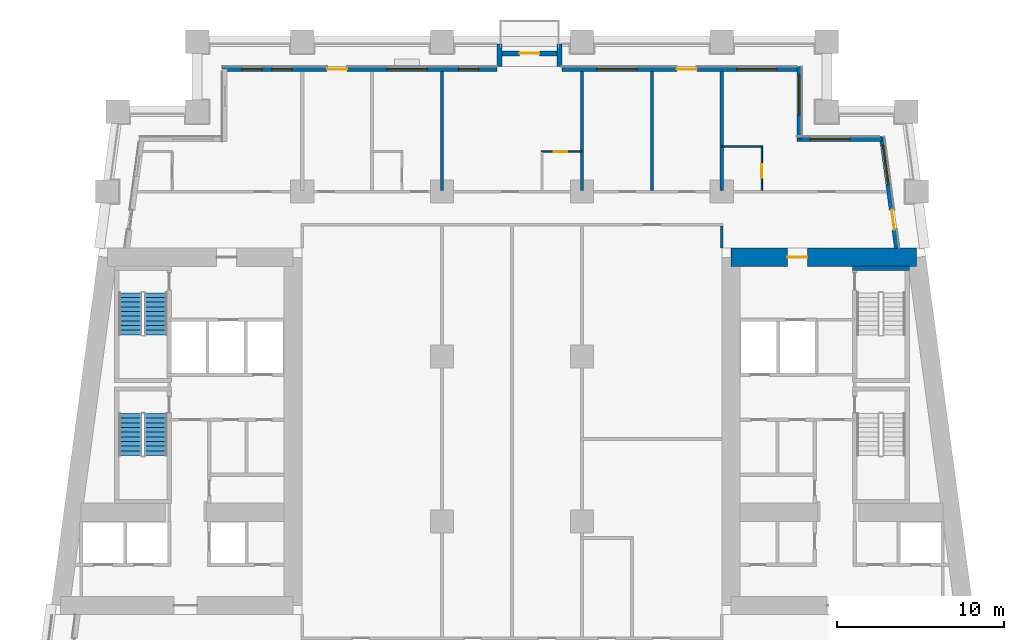
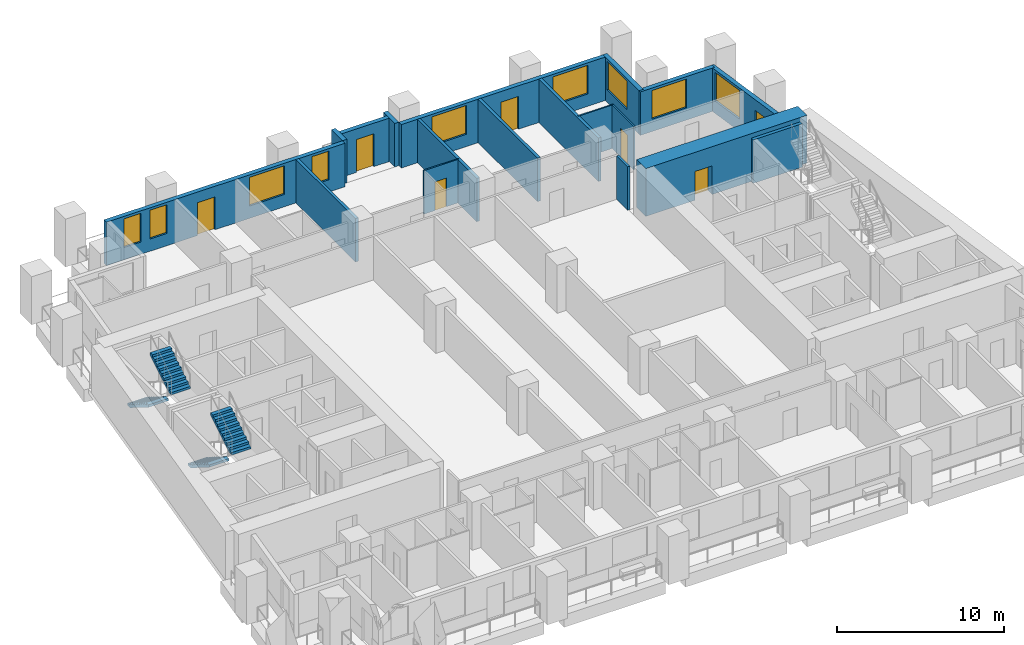
# One storey, part 7 of 13: 18 walls, 9 windows, 7 doors, 4 stair flights, 16 openings, 2 elements without a shape of their own.
"""IFC4 building model written with IfcOpenShell, lengths in metres."""

from ifc_helpers import new_model, si_unit, direction, frame, frame_2d, origin, place, context, subcontext, project, spatial, polyline, rectangle, outline, extrude, material, layer, layer_set, type_object, element, fill, aggregate, save


model = new_model("IFC4")

# Units and contexts
model_context = context("Model", 3, precision=1e-05, world=origin(), true_north=direction((0.0, 1.0)))
body_context = subcontext(model_context, "Body", "Model", "MODEL_VIEW")
ifc_project = project(units=[si_unit("LENGTHUNIT", "METRE"), si_unit("AREAUNIT", "SQUARE_METRE"), si_unit("VOLUMEUNIT", "CUBIC_METRE"), si_unit("PLANEANGLEUNIT", "RADIAN"), si_unit("MASSUNIT", "GRAM", prefix="KILO")], contexts=[model_context])

# Site, building, storey
site_placement = place(None, origin())
site = spatial("IfcSite", under=ifc_project, at=site_placement, CompositionType="ELEMENT")
building_placement = place(site_placement, origin())
building = spatial("IfcBuilding", under=site, at=building_placement, Name="Candeia Pilgrim Tower and Theatre", CompositionType="ELEMENT")
storey_placement = place(building_placement, frame((0.0, 0.0, 70.5)))
storey = spatial("IfcBuildingStorey", under=building, at=storey_placement, Name="L15", CompositionType="ELEMENT", Elevation=70.5)

# Wall, opening, door
ifc_material_1 = material(Name="Concrete C80/95", Category="concrete")
ifc_layer_1 = layer(ifc_material_1, 1.10009765625)
ifc_layer_set_1 = layer_set([ifc_layer_1], Name="Core wall 1100 C80/95")
wall_type_1 = type_object("IfcWallType", Name="Core wall 1100 C80/95", PredefinedType="SHEAR", material=ifc_layer_set_1)
wall_1_placement = place(storey_placement, frame((126.550048828125, 131.85009765625, 0.0), z_axis=(0.0, 0.0, 1.0), x_axis=(1.0, 0.0, 0.0)))
wall_1 = element("IfcWall", 1, at=wall_1_placement, inside=storey, type_object=wall_type_1, Name="Core wall E1", PredefinedType="SHEAR", context=body_context, shape_type="SweptSolid", body=[
    extrude(rectangle(XDim=11.13818359375, YDim=1.10009765625, at=frame_2d((5.569091796875, 0.0))), origin(), (0.0, 0.0, 1.0), 3.5),
])
opening_1_placement = place(wall_1_placement, frame((3.386474609375, 0.0, 0.0)))
opening_1 = element("IfcOpeningElement", 2, at=opening_1_placement, cuts=wall_1, Name="Opening L15-D057", PredefinedType="OPENING", context=body_context, shape_type="SweptSolid", body=[
    extrude(rectangle(XDim=1.199951171875, YDim=2.10009765625, at=frame_2d((0.60009765625, 1.050048828125))), frame((0.0, 0.56005859375, 0.0), z_axis=(0.0, -1.0, 0.0), x_axis=(1.0, 0.0, 0.0)), (0.0, 0.0, 1.0), 1.1201171875),
])
ifc_material_2 = material(Name="Steel fire door set", Category="steel")
door_type_1 = type_object("IfcDoorType", Name="D-1200-FD60", OperationType="NOTDEFINED", PredefinedType="DOOR", material=ifc_material_2)
door_1_placement = place(opening_1_placement, origin())
door_1 = element("IfcDoor", 3, at=door_1_placement, inside=storey, type_object=door_type_1, Name="Door L15-D057", OperationType="SINGLE_SWING_RIGHT", OverallHeight=2.10009765625, OverallWidth=1.199951171875, PredefinedType="DOOR", context=body_context, shape_type="SweptSolid", body=[
    extrude(rectangle(XDim=1.199951171875, YDim=2.10009765625, at=frame_2d((0.60009765625, 1.050048828125))), frame((0.0, 0.02490234375, 0.0), z_axis=(0.0, -1.0, 0.0), x_axis=(1.0, 0.0, 0.0)), (0.0, 0.0, 1.0), 0.050048828125),
])
fill(opening_1, door_1)

# Wall, openings, door, window
ifc_material_3 = material(Name="Ceramic block masonry", Category="masonry")
ifc_layer_2 = layer(ifc_material_3, 0.300048828125)
ifc_layer_set_2 = layer_set([ifc_layer_2], Name="EW1 glazing-line wall 300")
wall_type_2 = type_object("IfcWallType", Name="EW1 glazing-line wall 300", PredefinedType="SOLIDWALL", material=ifc_layer_set_2)
wall_2_placement = place(storey_placement, frame((136.50439453125, 132.39990234375, 0.0), z_axis=(0.0, 0.0, 1.0), x_axis=(-0.133399697462, 0.99106231929, 0.0)))
wall_2 = element("IfcWall", 4, at=wall_2_placement, inside=storey, type_object=wall_type_2, Name="External wall L15-3.1", PredefinedType="SOLIDWALL", context=body_context, shape_type="SweptSolid", body=[
    extrude(rectangle(XDim=6.740478515625, YDim=0.300048828125, at=frame_2d((3.3701171875, 0.0))), origin(), (0.0, 0.0, 1.0), 3.179931640625),
])
opening_2_placement = place(wall_2_placement, frame((1.115234375, 0.0, 0.0)))
opening_2 = element("IfcOpeningElement", 5, at=opening_2_placement, cuts=wall_2, Name="Opening L15-ED168", PredefinedType="OPENING", context=body_context, shape_type="SweptSolid", body=[
    extrude(rectangle(XDim=1.199951171875, YDim=2.39990234375, at=frame_2d((0.60009765625, 1.199951171875))), frame((0.0, 0.16015625, 0.0), z_axis=(0.0, -1.0, 0.0), x_axis=(1.0, 0.0, 0.0)), (0.0, 0.0, 1.0), 0.320068359375),
])
opening_3_placement = place(wall_2_placement, frame((3.83544921875, 0.0, 0.89990234375)))
opening_3 = element("IfcOpeningElement", 6, at=opening_3_placement, cuts=wall_2, Name="Opening W-A", PredefinedType="OPENING", context=body_context, shape_type="SweptSolid", body=[
    extrude(rectangle(XDim=2.39990234375, YDim=2.10009765625, at=frame_2d((1.199951171875, 1.050048828125))), frame((0.0, 0.16015625, 0.0), z_axis=(0.0, -1.0, 0.0), x_axis=(1.0, 0.0, 0.0)), (0.0, 0.0, 1.0), 0.320068359375),
])
ifc_material_4 = material(Name="Aluminium framed glazed door", Category="aluminium")
door_type_2 = type_object("IfcDoorType", Name="Loggia door 1200x2400", OperationType="DOUBLE_DOOR_SINGLE_SWING", PredefinedType="DOOR", material=ifc_material_4)
door_2_placement = place(opening_2_placement, origin())
door_2 = element("IfcDoor", 7, at=door_2_placement, inside=storey, type_object=door_type_2, Name="Loggia door L15-ED168", OperationType="DOUBLE_DOOR_SINGLE_SWING", OverallHeight=2.39990234375, OverallWidth=1.199951171875, PredefinedType="DOOR", context=body_context, shape_type="SweptSolid", body=[
    extrude(rectangle(XDim=1.199951171875, YDim=2.39990234375, at=frame_2d((0.60009765625, 1.199951171875))), frame((0.0, 0.02490234375, 0.0), z_axis=(0.0, -1.0, 0.0), x_axis=(1.0, 0.0, 0.0)), (0.0, 0.0, 1.0), 0.050048828125),
])
fill(opening_2, door_2)
ifc_material_5 = material(Name="Aluminium framed double glazing", Category="aluminium")
window_type_1 = type_object("IfcWindowType", Name="W-A window 2400x2100", PartitioningType="DOUBLE_PANEL_VERTICAL", PredefinedType="WINDOW", material=ifc_material_5)
window_1_placement = place(opening_3_placement, origin())
window_1 = element("IfcWindow", 8, at=window_1_placement, inside=storey, type_object=window_type_1, Name="Window W-A L15", OverallHeight=2.10009765625, OverallWidth=2.39990234375, PartitioningType="SINGLE_PANEL", PredefinedType="WINDOW", context=body_context, shape_type="SweptSolid", body=[
    extrude(rectangle(XDim=2.39990234375, YDim=2.10009765625, at=frame_2d((1.199951171875, 1.050048828125))), frame((0.0, 0.030029296875, 0.0), z_axis=(0.0, -1.0, 0.0), x_axis=(1.0, 0.0, 0.0)), (0.0, 0.0, 1.0), 0.06005859375),
])
fill(opening_3, window_1)

# Wall, opening, window
wall_3_placement = place(storey_placement, frame((135.62255859375, 138.949951171875, 0.0), z_axis=(0.0, 0.0, 1.0), x_axis=(-1.0, 0.0, 0.0)))
wall_3 = element("IfcWall", 9, at=wall_3_placement, inside=storey, type_object=wall_type_2, Name="External wall L15-4.0", PredefinedType="SOLIDWALL", context=body_context, shape_type="SweptSolid", body=[
    extrude(rectangle(XDim=5.12255859375, YDim=0.300048828125, at=frame_2d((2.561279296875, 0.0))), origin(), (0.0, 0.0, 1.0), 3.179931640625),
])
opening_4_placement = place(wall_3_placement, frame((1.922607421875, 0.0, 0.89990234375)))
opening_4 = element("IfcOpeningElement", 10, at=opening_4_placement, cuts=wall_3, Name="Opening W-A", PredefinedType="OPENING", context=body_context, shape_type="SweptSolid", body=[
    extrude(rectangle(XDim=2.39990234375, YDim=2.10009765625, at=frame_2d((1.199951171875, 1.050048828125))), frame((0.0, 0.16015625, 0.0), z_axis=(0.0, -1.0, 0.0), x_axis=(1.0, 0.0, 0.0)), (0.0, 0.0, 1.0), 0.320068359375),
])
window_2_placement = place(opening_4_placement, origin())
window_2 = element("IfcWindow", 11, at=window_2_placement, inside=storey, type_object=window_type_1, Name="Window W-A L15", OverallHeight=2.10009765625, OverallWidth=2.39990234375, PartitioningType="SINGLE_PANEL", PredefinedType="WINDOW", context=body_context, shape_type="SweptSolid", body=[
    extrude(rectangle(XDim=2.39990234375, YDim=2.10009765625, at=frame_2d((1.199951171875, 1.050048828125))), frame((0.0, 0.030029296875, 0.0), z_axis=(0.0, -1.0, 0.0), x_axis=(1.0, 0.0, 0.0)), (0.0, 0.0, 1.0), 0.06005859375),
])
fill(opening_4, window_2)

wall_4_placement = place(storey_placement, frame((130.64990234375, 138.949951171875, 0.0), z_axis=(0.0, 0.0, 1.0), x_axis=(0.0, 1.0, 0.0)))
wall_4 = element("IfcWall", 12, at=wall_4_placement, inside=storey, type_object=wall_type_2, Name="External wall L15-5.0", PredefinedType="SOLIDWALL", context=body_context, shape_type="SweptSolid", body=[
    extrude(rectangle(XDim=4.35009765625, YDim=0.300048828125, at=frame_2d((2.175048828125, 0.0))), origin(), (0.0, 0.0, 1.0), 3.179931640625),
])
opening_5_placement = place(wall_4_placement, frame((1.449951171875, 0.0, 0.89990234375)))
opening_5 = element("IfcOpeningElement", 13, at=opening_5_placement, cuts=wall_4, Name="Opening W-A", PredefinedType="OPENING", context=body_context, shape_type="SweptSolid", body=[
    extrude(rectangle(XDim=2.39990234375, YDim=2.10009765625, at=frame_2d((1.199951171875, 1.050048828125))), frame((0.0, 0.16015625, 0.0), z_axis=(0.0, -1.0, 0.0), x_axis=(1.0, 0.0, 0.0)), (0.0, 0.0, 1.0), 0.320068359375),
])
window_3_placement = place(opening_5_placement, origin())
window_3 = element("IfcWindow", 14, at=window_3_placement, inside=storey, type_object=window_type_1, Name="Window W-A L15", OverallHeight=2.10009765625, OverallWidth=2.39990234375, PartitioningType="SINGLE_PANEL", PredefinedType="WINDOW", context=body_context, shape_type="SweptSolid", body=[
    extrude(rectangle(XDim=2.39990234375, YDim=2.10009765625, at=frame_2d((1.199951171875, 1.050048828125))), frame((0.0, 0.030029296875, 0.0), z_axis=(0.0, -1.0, 0.0), x_axis=(1.0, 0.0, 0.0)), (0.0, 0.0, 1.0), 0.06005859375),
])
fill(opening_5, window_3)

# Wall, openings, door, windows
wall_5_placement = place(storey_placement, frame((130.64990234375, 143.14990234375, 0.0), z_axis=(0.0, 0.0, 1.0), x_axis=(-1.0, 0.0, 0.0)))
wall_5 = element("IfcWall", 15, at=wall_5_placement, inside=storey, type_object=wall_type_2, Name="External wall L15-6.0", PredefinedType="SOLIDWALL", context=body_context, shape_type="SweptSolid", body=[
    extrude(rectangle(XDim=14.25, YDim=0.300048828125, at=frame_2d((7.125, 0.0))), origin(), (0.0, 0.0, 1.0), 3.179931640625),
])
opening_6_placement = place(wall_5_placement, frame((1.35009765625, 0.0, 0.89990234375)))
opening_6 = element("IfcOpeningElement", 16, at=opening_6_placement, cuts=wall_5, Name="Opening W-A", PredefinedType="OPENING", context=body_context, shape_type="SweptSolid", body=[
    extrude(rectangle(XDim=2.39990234375, YDim=2.10009765625, at=frame_2d((1.199951171875, 1.050048828125))), frame((0.0, 0.16015625, 0.0), z_axis=(0.0, -1.0, 0.0), x_axis=(1.0, 0.0, 0.0)), (0.0, 0.0, 1.0), 0.320068359375),
])
opening_7_placement = place(wall_5_placement, frame((6.14990234375, 0.0, 0.0)))
opening_7 = element("IfcOpeningElement", 17, at=opening_7_placement, cuts=wall_5, Name="Opening L15-ED169", PredefinedType="OPENING", context=body_context, shape_type="SweptSolid", body=[
    extrude(rectangle(XDim=1.199951171875, YDim=2.39990234375, at=frame_2d((0.60009765625, 1.199951171875))), frame((0.0, 0.16015625, 0.0), z_axis=(0.0, -1.0, 0.0), x_axis=(1.0, 0.0, 0.0)), (0.0, 0.0, 1.0), 0.320068359375),
])
opening_8_placement = place(wall_5_placement, frame((9.75, 0.0, 0.89990234375)))
opening_8 = element("IfcOpeningElement", 18, at=opening_8_placement, cuts=wall_5, Name="Opening W-A", PredefinedType="OPENING", context=body_context, shape_type="SweptSolid", body=[
    extrude(rectangle(XDim=2.39990234375, YDim=2.10009765625, at=frame_2d((1.199951171875, 1.050048828125))), frame((0.0, 0.16015625, 0.0), z_axis=(0.0, -1.0, 0.0), x_axis=(1.0, 0.0, 0.0)), (0.0, 0.0, 1.0), 0.320068359375),
])
door_3_placement = place(opening_7_placement, origin())
door_3 = element("IfcDoor", 19, at=door_3_placement, inside=storey, type_object=door_type_2, Name="Loggia door L15-ED169", OperationType="DOUBLE_DOOR_SINGLE_SWING", OverallHeight=2.39990234375, OverallWidth=1.199951171875, PredefinedType="DOOR", context=body_context, shape_type="SweptSolid", body=[
    extrude(rectangle(XDim=1.199951171875, YDim=2.39990234375, at=frame_2d((0.60009765625, 1.199951171875))), frame((0.0, 0.02490234375, 0.0), z_axis=(0.0, -1.0, 0.0), x_axis=(1.0, 0.0, 0.0)), (0.0, 0.0, 1.0), 0.050048828125),
])
fill(opening_7, door_3)
window_4_placement = place(opening_6_placement, origin())
window_4 = element("IfcWindow", 20, at=window_4_placement, inside=storey, type_object=window_type_1, Name="Window W-A L15", OverallHeight=2.10009765625, OverallWidth=2.39990234375, PartitioningType="SINGLE_PANEL", PredefinedType="WINDOW", context=body_context, shape_type="SweptSolid", body=[
    extrude(rectangle(XDim=2.39990234375, YDim=2.10009765625, at=frame_2d((1.199951171875, 1.050048828125))), frame((0.0, 0.030029296875, 0.0), z_axis=(0.0, -1.0, 0.0), x_axis=(1.0, 0.0, 0.0)), (0.0, 0.0, 1.0), 0.06005859375),
])
fill(opening_6, window_4)
window_5_placement = place(opening_8_placement, origin())
window_5 = element("IfcWindow", 21, at=window_5_placement, inside=storey, type_object=window_type_1, Name="Window W-A L15", OverallHeight=2.10009765625, OverallWidth=2.39990234375, PartitioningType="SINGLE_PANEL", PredefinedType="WINDOW", context=body_context, shape_type="SweptSolid", body=[
    extrude(rectangle(XDim=2.39990234375, YDim=2.10009765625, at=frame_2d((1.199951171875, 1.050048828125))), frame((0.0, 0.030029296875, 0.0), z_axis=(0.0, -1.0, 0.0), x_axis=(1.0, 0.0, 0.0)), (0.0, 0.0, 1.0), 0.06005859375),
])
fill(opening_8, window_5)

wall_6_placement = place(storey_placement, frame((112.5, 143.14990234375, 0.0), z_axis=(0.0, 0.0, 1.0), x_axis=(-1.0, 0.0, 0.0)))
wall_6 = element("IfcWall", 22, at=wall_6_placement, inside=storey, type_object=wall_type_2, Name="External wall L15-6.1", PredefinedType="SOLIDWALL", context=body_context, shape_type="SweptSolid", body=[
    extrude(rectangle(XDim=16.5, YDim=0.300048828125, at=frame_2d((8.25, 0.0))), origin(), (0.0, 0.0, 1.0), 3.179931640625),
])
opening_9_placement = place(wall_6_placement, frame((1.10009765625, 0.0, 0.89990234375)))
opening_9 = element("IfcOpeningElement", 23, at=opening_9_placement, cuts=wall_6, Name="Opening W-B", PredefinedType="OPENING", context=body_context, shape_type="SweptSolid", body=[
    extrude(rectangle(XDim=1.199951171875, YDim=2.10009765625, at=frame_2d((0.60009765625, 1.050048828125))), frame((0.0, 0.16015625, 0.0), z_axis=(0.0, -1.0, 0.0), x_axis=(1.0, 0.0, 0.0)), (0.0, 0.0, 1.0), 0.320068359375),
])
opening_10_placement = place(wall_6_placement, frame((4.199951171875, 0.0, 0.89990234375)))
opening_10 = element("IfcOpeningElement", 24, at=opening_10_placement, cuts=wall_6, Name="Opening W-A", PredefinedType="OPENING", context=body_context, shape_type="SweptSolid", body=[
    extrude(rectangle(XDim=2.39990234375, YDim=2.10009765625, at=frame_2d((1.199951171875, 1.050048828125))), frame((0.0, 0.16015625, 0.0), z_axis=(0.0, -1.0, 0.0), x_axis=(1.0, 0.0, 0.0)), (0.0, 0.0, 1.0), 0.320068359375),
])
opening_11_placement = place(wall_6_placement, frame((9.0, 0.0, 0.0)))
opening_11 = element("IfcOpeningElement", 25, at=opening_11_placement, cuts=wall_6, Name="Opening L15-ED170", PredefinedType="OPENING", context=body_context, shape_type="SweptSolid", body=[
    extrude(rectangle(XDim=1.199951171875, YDim=2.39990234375, at=frame_2d((0.60009765625, 1.199951171875))), frame((0.0, 0.16015625, 0.0), z_axis=(0.0, -1.0, 0.0), x_axis=(1.0, 0.0, 0.0)), (0.0, 0.0, 1.0), 0.320068359375),
])
opening_12_placement = place(wall_6_placement, frame((12.300048828125, 0.0, 0.89990234375)))
opening_12 = element("IfcOpeningElement", 26, at=opening_12_placement, cuts=wall_6, Name="Opening W-B", PredefinedType="OPENING", context=body_context, shape_type="SweptSolid", body=[
    extrude(rectangle(XDim=1.199951171875, YDim=2.10009765625, at=frame_2d((0.60009765625, 1.050048828125))), frame((0.0, 0.16015625, 0.0), z_axis=(0.0, -1.0, 0.0), x_axis=(1.0, 0.0, 0.0)), (0.0, 0.0, 1.0), 0.320068359375),
])
opening_13_placement = place(wall_6_placement, frame((14.10009765625, 0.0, 0.89990234375)))
opening_13 = element("IfcOpeningElement", 27, at=opening_13_placement, cuts=wall_6, Name="Opening W-B", PredefinedType="OPENING", context=body_context, shape_type="SweptSolid", body=[
    extrude(rectangle(XDim=1.199951171875, YDim=2.10009765625, at=frame_2d((0.60009765625, 1.050048828125))), frame((0.0, 0.16015625, 0.0), z_axis=(0.0, -1.0, 0.0), x_axis=(1.0, 0.0, 0.0)), (0.0, 0.0, 1.0), 0.320068359375),
])
door_4_placement = place(opening_11_placement, origin())
door_4 = element("IfcDoor", 28, at=door_4_placement, inside=storey, type_object=door_type_2, Name="Loggia door L15-ED170", OperationType="DOUBLE_DOOR_SINGLE_SWING", OverallHeight=2.39990234375, OverallWidth=1.199951171875, PredefinedType="DOOR", context=body_context, shape_type="SweptSolid", body=[
    extrude(rectangle(XDim=1.199951171875, YDim=2.39990234375, at=frame_2d((0.60009765625, 1.199951171875))), frame((0.0, 0.02490234375, 0.0), z_axis=(0.0, -1.0, 0.0), x_axis=(1.0, 0.0, 0.0)), (0.0, 0.0, 1.0), 0.050048828125),
])
fill(opening_11, door_4)
window_6_placement = place(opening_10_placement, origin())
window_6 = element("IfcWindow", 29, at=window_6_placement, inside=storey, type_object=window_type_1, Name="Window W-A L15", OverallHeight=2.10009765625, OverallWidth=2.39990234375, PartitioningType="SINGLE_PANEL", PredefinedType="WINDOW", context=body_context, shape_type="SweptSolid", body=[
    extrude(rectangle(XDim=2.39990234375, YDim=2.10009765625, at=frame_2d((1.199951171875, 1.050048828125))), frame((0.0, 0.030029296875, 0.0), z_axis=(0.0, -1.0, 0.0), x_axis=(1.0, 0.0, 0.0)), (0.0, 0.0, 1.0), 0.06005859375),
])
fill(opening_10, window_6)
window_type_2 = type_object("IfcWindowType", Name="W-B window 1200x2100", PartitioningType="SINGLE_PANEL", PredefinedType="WINDOW", material=ifc_material_5)
window_7_placement = place(opening_9_placement, origin())
window_7 = element("IfcWindow", 30, at=window_7_placement, inside=storey, type_object=window_type_2, Name="Window W-B L15", OverallHeight=2.10009765625, OverallWidth=1.199951171875, PartitioningType="SINGLE_PANEL", PredefinedType="WINDOW", context=body_context, shape_type="SweptSolid", body=[
    extrude(rectangle(XDim=1.199951171875, YDim=2.10009765625, at=frame_2d((0.60009765625, 1.050048828125))), frame((0.0, 0.030029296875, 0.0), z_axis=(0.0, -1.0, 0.0), x_axis=(1.0, 0.0, 0.0)), (0.0, 0.0, 1.0), 0.06005859375),
])
fill(opening_9, window_7)
window_8_placement = place(opening_12_placement, origin())
window_8 = element("IfcWindow", 31, at=window_8_placement, inside=storey, type_object=window_type_2, Name="Window W-B L15", OverallHeight=2.10009765625, OverallWidth=1.199951171875, PartitioningType="SINGLE_PANEL", PredefinedType="WINDOW", context=body_context, shape_type="SweptSolid", body=[
    extrude(rectangle(XDim=1.199951171875, YDim=2.10009765625, at=frame_2d((0.60009765625, 1.050048828125))), frame((0.0, 0.030029296875, 0.0), z_axis=(0.0, -1.0, 0.0), x_axis=(1.0, 0.0, 0.0)), (0.0, 0.0, 1.0), 0.06005859375),
])
fill(opening_12, window_8)
window_9_placement = place(opening_13_placement, origin())
window_9 = element("IfcWindow", 32, at=window_9_placement, inside=storey, type_object=window_type_2, Name="Window W-B L15", OverallHeight=2.10009765625, OverallWidth=1.199951171875, PartitioningType="SINGLE_PANEL", PredefinedType="WINDOW", context=body_context, shape_type="SweptSolid", body=[
    extrude(rectangle(XDim=1.199951171875, YDim=2.10009765625, at=frame_2d((0.60009765625, 1.050048828125))), frame((0.0, 0.030029296875, 0.0), z_axis=(0.0, -1.0, 0.0), x_axis=(1.0, 0.0, 0.0)), (0.0, 0.0, 1.0), 0.06005859375),
])
fill(opening_13, window_9)

# Walls
ifc_layer_3 = layer(ifc_material_3, 0.300048828125)
ifc_layer_set_3 = layer_set([ifc_layer_3], Name="EW2 entrance infill wall 300")
wall_type_3 = type_object("IfcWallType", Name="EW2 entrance infill wall 300", PredefinedType="SOLIDWALL", material=ifc_layer_set_3)
for number, where, z_axis, x_axis, name in (
    (33, (116.25, 143.300048828125, 0.0), (0.0, 0.0, 1.0), (0.0, 1.0, 0.0), "Alcove wall L15"),
    (34, (112.64990234375, 143.300048828125, 0.0), (0.0, 0.0, 1.0), (0.0, 1.0, 0.0), "Alcove wall L15"),
):
    element("IfcWall", number, at=place(storey_placement, frame(where, z_axis=z_axis, x_axis=x_axis)), inside=storey, type_object=wall_type_3, Name=name, PredefinedType="SOLIDWALL", context=body_context, shape_type="SweptSolid", body=[
        extrude(rectangle(XDim=1.349853515625, YDim=0.300048828125, at=frame_2d((0.6748046875, 0.0))), origin(), (0.0, 0.0, 1.0), 3.179931640625),
    ])

# Wall, opening, door
wall_7_placement = place(storey_placement, frame((116.39990234375, 144.10009765625, 0.0), z_axis=(0.0, 0.0, 1.0), x_axis=(-1.0, 0.0, 0.0)))
wall_7 = element("IfcWall", 35, at=wall_7_placement, inside=storey, type_object=wall_type_3, Name="Alcove wall L15", PredefinedType="SOLIDWALL", context=body_context, shape_type="SweptSolid", body=[
    extrude(rectangle(XDim=3.89990234375, YDim=0.300048828125, at=frame_2d((1.949951171875, 0.0))), origin(), (0.0, 0.0, 1.0), 3.179931640625),
])
opening_14_placement = place(wall_7_placement, frame((1.35009765625, 0.0, 0.0)))
opening_14 = element("IfcOpeningElement", 36, at=opening_14_placement, cuts=wall_7, Name="Opening L15-ED171", PredefinedType="OPENING", context=body_context, shape_type="SweptSolid", body=[
    extrude(rectangle(XDim=1.199951171875, YDim=2.39990234375, at=frame_2d((0.60009765625, 1.199951171875))), frame((0.0, 0.16015625, 0.0), z_axis=(0.0, -1.0, 0.0), x_axis=(1.0, 0.0, 0.0)), (0.0, 0.0, 1.0), 0.320068359375),
])
door_5_placement = place(opening_14_placement, origin())
door_5 = element("IfcDoor", 37, at=door_5_placement, inside=storey, type_object=door_type_2, Name="Balcony door L15-ED171", OperationType="DOUBLE_DOOR_SINGLE_SWING", OverallHeight=2.39990234375, OverallWidth=1.199951171875, PredefinedType="DOOR", context=body_context, shape_type="SweptSolid", body=[
    extrude(rectangle(XDim=1.199951171875, YDim=2.39990234375, at=frame_2d((0.60009765625, 1.199951171875))), frame((0.0, 0.02490234375, 0.0), z_axis=(0.0, -1.0, 0.0), x_axis=(1.0, 0.0, 0.0)), (0.0, 0.0, 1.0), 0.050048828125),
])
fill(opening_14, door_5)

ifc_material_6 = material(Name="Gypsum board partition on steel studs", Category="steel")
ifc_layer_4 = layer(ifc_material_6, 0.10009765625)
ifc_layer_set_4 = layer_set([ifc_layer_4], Name="PW-100 room partition")
wall_type_4 = type_object("IfcWallType", Name="PW-100 room partition", PredefinedType="PARTITIONING", material=ifc_layer_set_4)
wall_8_placement = place(storey_placement, frame((115.14990234375, 138.199951171875, 0.0), z_axis=(0.0, 0.0, 1.0), x_axis=(1.0, 0.0, 0.0)))
wall_8 = element("IfcWall", 38, at=wall_8_placement, inside=storey, type_object=wall_type_4, Name="Room partition L15-041", PredefinedType="PARTITIONING", context=body_context, shape_type="SweptSolid", body=[
    extrude(rectangle(XDim=2.4501953125, YDim=0.10009765625, at=frame_2d((1.22509765625, 0.0))), origin(), (0.0, 0.0, 1.0), 3.179931640625),
])
opening_15_placement = place(wall_8_placement, frame((0.760009765625, 0.0, 0.0)))
opening_15 = element("IfcOpeningElement", 39, at=opening_15_placement, cuts=wall_8, Name="Opening L15-D043", PredefinedType="OPENING", context=body_context, shape_type="SweptSolid", body=[
    extrude(rectangle(XDim=0.800048828125, YDim=2.10009765625, at=frame_2d((0.39990234375, 1.050048828125))), frame((0.0, 0.06005859375, 0.0), z_axis=(0.0, -1.0, 0.0), x_axis=(1.0, 0.0, 0.0)), (0.0, 0.0, 1.0), 0.1201171875),
])
ifc_material_7 = material(Name="Timber door leaf", Category="wood")
door_type_3 = type_object("IfcDoorType", Name="D-800", OperationType="NOTDEFINED", PredefinedType="DOOR", material=ifc_material_7)
door_6_placement = place(opening_15_placement, origin())
door_6 = element("IfcDoor", 40, at=door_6_placement, inside=storey, type_object=door_type_3, Name="Door L15-D043", OperationType="SINGLE_SWING_RIGHT", OverallHeight=2.10009765625, OverallWidth=0.800048828125, PredefinedType="DOOR", context=body_context, shape_type="SweptSolid", body=[
    extrude(rectangle(XDim=0.800048828125, YDim=2.10009765625, at=frame_2d((0.39990234375, 1.050048828125))), frame((0.0, 0.02490234375, 0.0), z_axis=(0.0, -1.0, 0.0), x_axis=(1.0, 0.0, 0.0)), (0.0, 0.0, 1.0), 0.050048828125),
])
fill(opening_15, door_6)

# Wall
wall_9_placement = place(storey_placement, frame((126.0, 138.5, 0.0), z_axis=(0.0, 0.0, 1.0), x_axis=(1.0, 0.0, 0.0)))
element("IfcWall", 41, at=wall_9_placement, inside=storey, type_object=wall_type_4, Name="Room partition L15-042", PredefinedType="PARTITIONING", context=body_context, shape_type="SweptSolid", body=[
    extrude(rectangle(XDim=2.449951171875, YDim=0.10009765625, at=frame_2d((1.22509765625, 0.0))), origin(), (0.0, 0.0, 1.0), 3.179931640625),
])

# Wall, opening, door
wall_10_placement = place(storey_placement, frame((128.39990234375, 135.875, 0.0), z_axis=(0.0, 0.0, 1.0), x_axis=(0.0, 1.0, 0.0)))
wall_10 = element("IfcWall", 42, at=wall_10_placement, inside=storey, type_object=wall_type_4, Name="Room partition L15-093", PredefinedType="PARTITIONING", context=body_context, shape_type="SweptSolid", body=[
    extrude(rectangle(XDim=2.574951171875, YDim=0.10009765625, at=frame_2d((1.28759765625, 0.0))), origin(), (0.0, 0.0, 1.0), 3.179931640625),
])
opening_16_placement = place(wall_10_placement, frame((0.7548828125, 0.0, 0.0)))
opening_16 = element("IfcOpeningElement", 43, at=opening_16_placement, cuts=wall_10, Name="Opening L15-D047", PredefinedType="OPENING", context=body_context, shape_type="SweptSolid", body=[
    extrude(rectangle(XDim=0.800048828125, YDim=2.10009765625, at=frame_2d((0.39990234375, 1.050048828125))), frame((0.0, 0.06005859375, 0.0), z_axis=(0.0, -1.0, 0.0), x_axis=(1.0, 0.0, 0.0)), (0.0, 0.0, 1.0), 0.1201171875),
])
door_7_placement = place(opening_16_placement, origin())
door_7 = element("IfcDoor", 44, at=door_7_placement, inside=storey, type_object=door_type_3, Name="Door L15-D047", OperationType="SINGLE_SWING_RIGHT", OverallHeight=2.10009765625, OverallWidth=0.800048828125, PredefinedType="DOOR", context=body_context, shape_type="SweptSolid", body=[
    extrude(rectangle(XDim=0.800048828125, YDim=2.10009765625, at=frame_2d((0.39990234375, 1.050048828125))), frame((0.0, 0.02490234375, 0.0), z_axis=(0.0, -1.0, 0.0), x_axis=(1.0, 0.0, 0.0)), (0.0, 0.0, 1.0), 0.050048828125),
])
fill(opening_16, door_7)

# Walls
ifc_layer_5 = layer(ifc_material_6, 0.14990234375)
ifc_layer_set_5 = layer_set([ifc_layer_5], Name="PW-150 unit wall")
wall_type_5 = type_object("IfcWallType", Name="PW-150 unit wall", PredefinedType="PARTITIONING", material=ifc_layer_set_5)
wall_11_placement = place(storey_placement, frame((126.0, 132.39990234375, 0.0), z_axis=(0.0, 0.0, 1.0), x_axis=(0.0, 1.0, 0.0)))
element("IfcWall", 45, at=wall_11_placement, inside=storey, type_object=wall_type_5, Name="Unit wall L15-091", PredefinedType="PARTITIONING", context=body_context, shape_type="SweptSolid", body=[
    extrude(rectangle(XDim=1.3251953125, YDim=0.14990234375, at=frame_2d((0.66259765625, 0.0))), origin(), (0.0, 0.0, 1.0), 3.179931640625),
])
ifc_layer_6 = layer(ifc_material_6, 0.199951171875)
ifc_layer_set_6 = layer_set([ifc_layer_6], Name="PW-200 party wall")
wall_type_6 = type_object("IfcWallType", Name="PW-200 party wall", PredefinedType="PARTITIONING", material=ifc_layer_set_6)
for number, where, z_axis, x_axis, name in (
    (46, (109.199951171875, 135.875, 0.0), (0.0, 0.0, 1.0), (0.0, 1.0, 0.0), "Party wall L15-077"),
    (47, (117.60009765625, 135.875, 0.0), (0.0, 0.0, 1.0), (0.0, 1.0, 0.0), "Party wall L15-085"),
    (48, (121.800048828125, 135.875, 0.0), (0.0, 0.0, 1.0), (0.0, 1.0, 0.0), "Party wall L15-087"),
    (49, (126.0, 135.875, 0.0), (0.0, 0.0, 1.0), (0.0, 1.0, 0.0), "Party wall L15-089"),
):
    element("IfcWall", number, at=place(storey_placement, frame(where, z_axis=z_axis, x_axis=x_axis)), inside=storey, type_object=wall_type_6, Name=name, PredefinedType="PARTITIONING", context=body_context, shape_type="SweptSolid", body=[
        extrude(rectangle(XDim=7.135009765625, YDim=0.199951171875, at=frame_2d((3.5673828125, 0.0))), origin(), (0.0, 0.0, 1.0), 3.179931640625),
    ])
ifc_material_8 = material(Name="Concrete C40/50", Category="concrete")
ifc_layer_7 = layer(ifc_material_8, 0.25)
ifc_layer_set_7 = layer_set([ifc_layer_7], Name="SW-250 stair wall")
wall_type_7 = type_object("IfcWallType", Name="SW-250 stair wall", PredefinedType="PARTITIONING", material=ifc_layer_set_7)
wall_12_placement = place(storey_placement, frame((133.847900390625, 131.199951171875, 0.0), z_axis=(0.0, 0.0, 1.0), x_axis=(1.0, 0.0, 0.0)))
element("IfcWall", 50, at=wall_12_placement, inside=storey, type_object=wall_type_7, Name="Stair wall L15-036", PredefinedType="PARTITIONING", context=body_context, shape_type="SweptSolid", body=[
    extrude(rectangle(XDim=3.400146484375, YDim=0.25, at=frame_2d((1.7001953125, 0.0))), origin(), (0.0, 0.0, 1.0), 3.179931640625),
])

# Stair, stair flights
stair_type = type_object("IfcStairType", Name="ST-TWR dog-leg escape stair", PredefinedType="HALF_TURN_STAIR", material=ifc_material_8)
stair_1_placement = place(storey_placement, origin())
stair_1 = element("IfcStair", 51, at=stair_1_placement, inside=storey, type_object=stair_type, Name="L15 Escape stair ST1", PredefinedType="HALF_TURN_STAIR")
stair_flight_type = type_object("IfcStairFlightType", Name="SFL-RC stair flight", PredefinedType="STRAIGHT", material=ifc_material_8)
stair_flight_1_placement = place(storey_placement, frame((90.47705078125, 122.47509765625, 0.0), z_axis=(0.0, 0.0, 1.0), x_axis=(0.0, -1.0, 0.0)))
stair_flight_1 = element("IfcStairFlight", 52, at=stair_flight_1_placement, type_object=stair_flight_type, Name="ST1 flight 1", NumberOfRisers=10, NumberOfTreads=9, PredefinedType="STRAIGHT", RiserHeight=0.175, TreadLength=0.28, context=body_context, shape_type="SweptSolid", body=[
    extrude(outline(polyline([(0.0, 0.0), (0.0, 0.175048828125), (0.280029296875, 0.175048828125), (0.280029296875, 0.35009765625), (0.56005859375, 0.35009765625), (0.56005859375, 0.52490234375), (0.840087890625, 0.52490234375), (0.840087890625, 0.699951171875), (1.1201171875, 0.699951171875), (1.1201171875, 0.875), (1.39990234375, 0.875), (1.39990234375, 1.050048828125), (1.679931640625, 1.050048828125), (1.679931640625, 1.22509765625), (1.9599609375, 1.22509765625), (1.9599609375, 1.39990234375), (2.239990234375, 1.39990234375), (2.239990234375, 1.574951171875), (2.52001953125, 1.574951171875), (2.52001953125, 1.75), (2.52001953125, 1.398193359375), (0.28271484375, 0.0), (0.0, 0.0)])), frame((0.0, 0.675048828125, 0.0), z_axis=(0.0, -1.0, 0.0), x_axis=(1.0, 0.0, 0.0)), (0.0, 0.0, 1.0), 1.35009765625),
])
stair_flight_2_placement = place(storey_placement, frame((92.027099609375, 119.955078125, 1.75), z_axis=(0.0, 0.0, 1.0), x_axis=(0.0, 1.0, 0.0)))
stair_flight_2 = element("IfcStairFlight", 53, at=stair_flight_2_placement, type_object=stair_flight_type, Name="ST1 flight 2", NumberOfRisers=10, NumberOfTreads=9, PredefinedType="STRAIGHT", RiserHeight=0.175, TreadLength=0.28, context=body_context, shape_type="SweptSolid", body=[
    extrude(outline(polyline([(0.0, 0.0), (0.0, 0.175048828125), (0.280029296875, 0.175048828125), (0.280029296875, 0.35009765625), (0.56005859375, 0.35009765625), (0.56005859375, 0.52490234375), (0.840087890625, 0.52490234375), (0.840087890625, 0.699951171875), (1.1201171875, 0.699951171875), (1.1201171875, 0.875), (1.39990234375, 0.875), (1.39990234375, 1.050048828125), (1.679931640625, 1.050048828125), (1.679931640625, 1.22509765625), (1.9599609375, 1.22509765625), (1.9599609375, 1.39990234375), (2.239990234375, 1.39990234375), (2.239990234375, 1.574951171875), (2.52001953125, 1.574951171875), (2.52001953125, 1.75), (2.52001953125, 1.398193359375), (0.28271484375, 0.0), (0.0, 0.0)])), frame((0.0, 0.675048828125, 0.0), z_axis=(0.0, -1.0, 0.0), x_axis=(1.0, 0.0, 0.0)), (0.0, 0.0, 1.0), 1.35009765625),
])
aggregate(stair_1, [stair_flight_1, stair_flight_2])

stair_2_placement = place(storey_placement, origin())
stair_2 = element("IfcStair", 54, at=stair_2_placement, inside=storey, type_object=stair_type, Name="L15 Escape stair ST2", PredefinedType="HALF_TURN_STAIR")
stair_flight_3_placement = place(storey_placement, frame((90.47705078125, 129.72509765625, 0.0), z_axis=(0.0, 0.0, 1.0), x_axis=(0.0, -1.0, 0.0)))
stair_flight_3 = element("IfcStairFlight", 55, at=stair_flight_3_placement, type_object=stair_flight_type, Name="ST2 flight 1", NumberOfRisers=10, NumberOfTreads=9, PredefinedType="STRAIGHT", RiserHeight=0.175, TreadLength=0.28, context=body_context, shape_type="SweptSolid", body=[
    extrude(outline(polyline([(0.0, 0.0), (0.0, 0.175048828125), (0.280029296875, 0.175048828125), (0.280029296875, 0.35009765625), (0.56005859375, 0.35009765625), (0.56005859375, 0.52490234375), (0.840087890625, 0.52490234375), (0.840087890625, 0.699951171875), (1.1201171875, 0.699951171875), (1.1201171875, 0.875), (1.39990234375, 0.875), (1.39990234375, 1.050048828125), (1.679931640625, 1.050048828125), (1.679931640625, 1.22509765625), (1.9599609375, 1.22509765625), (1.9599609375, 1.39990234375), (2.239990234375, 1.39990234375), (2.239990234375, 1.574951171875), (2.52001953125, 1.574951171875), (2.52001953125, 1.75), (2.52001953125, 1.398193359375), (0.28271484375, 0.0), (0.0, 0.0)])), frame((0.0, 0.675048828125, 0.0), z_axis=(0.0, -1.0, 0.0), x_axis=(1.0, 0.0, 0.0)), (0.0, 0.0, 1.0), 1.35009765625),
])
stair_flight_4_placement = place(storey_placement, frame((92.027099609375, 127.205078125, 1.75), z_axis=(0.0, 0.0, 1.0), x_axis=(0.0, 1.0, 0.0)))
stair_flight_4 = element("IfcStairFlight", 56, at=stair_flight_4_placement, type_object=stair_flight_type, Name="ST2 flight 2", NumberOfRisers=10, NumberOfTreads=9, PredefinedType="STRAIGHT", RiserHeight=0.175, TreadLength=0.28, context=body_context, shape_type="SweptSolid", body=[
    extrude(outline(polyline([(0.0, 0.0), (0.0, 0.175048828125), (0.280029296875, 0.175048828125), (0.280029296875, 0.35009765625), (0.56005859375, 0.35009765625), (0.56005859375, 0.52490234375), (0.840087890625, 0.52490234375), (0.840087890625, 0.699951171875), (1.1201171875, 0.699951171875), (1.1201171875, 0.875), (1.39990234375, 0.875), (1.39990234375, 1.050048828125), (1.679931640625, 1.050048828125), (1.679931640625, 1.22509765625), (1.9599609375, 1.22509765625), (1.9599609375, 1.39990234375), (2.239990234375, 1.39990234375), (2.239990234375, 1.574951171875), (2.52001953125, 1.574951171875), (2.52001953125, 1.75), (2.52001953125, 1.398193359375), (0.28271484375, 0.0), (0.0, 0.0)])), frame((0.0, 0.675048828125, 0.0), z_axis=(0.0, -1.0, 0.0), x_axis=(1.0, 0.0, 0.0)), (0.0, 0.0, 1.0), 1.35009765625),
])
aggregate(stair_2, [stair_flight_3, stair_flight_4])

save(model, "model.ifc")
